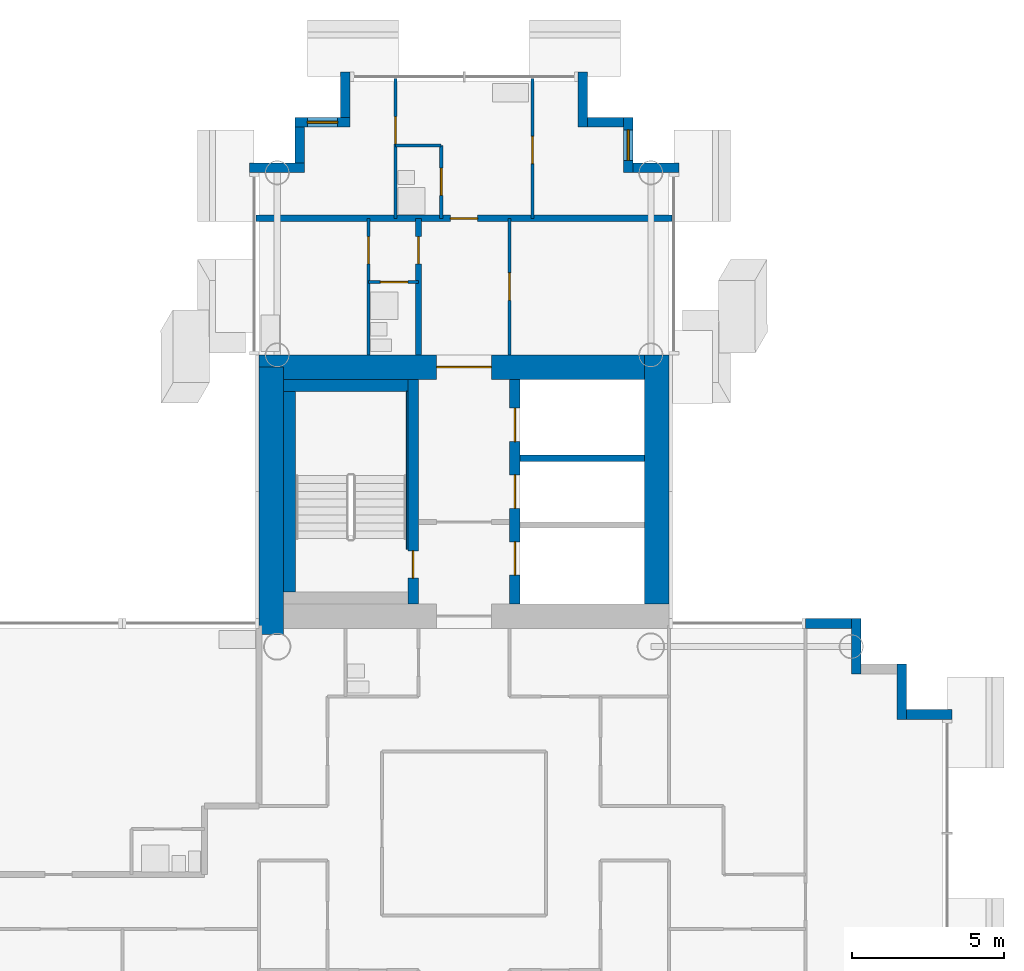
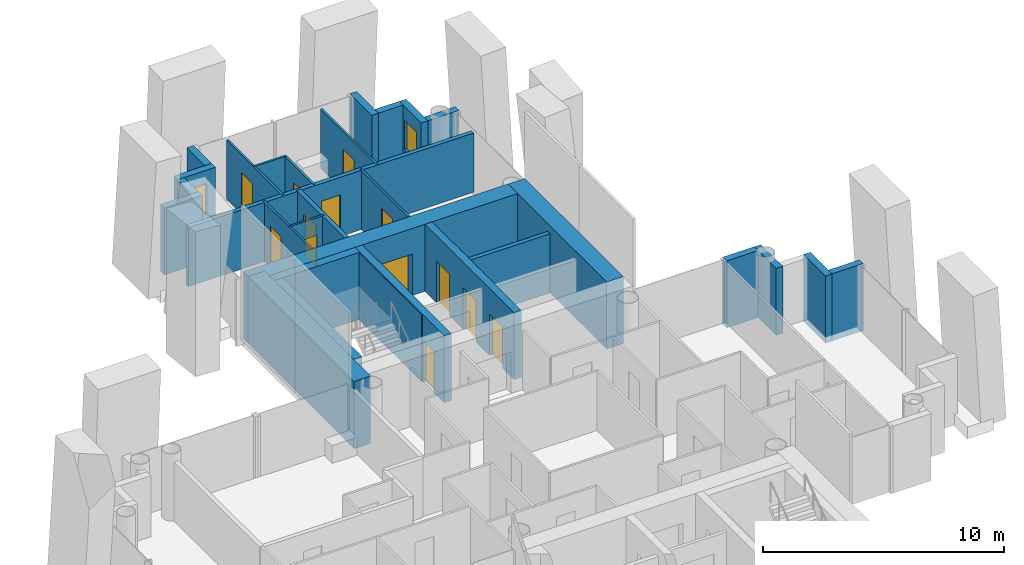
# One storey, part 11 of 18: 30 walls, 13 doors, 2 windows, 15 openings.
"""IFC4 building model written with IfcOpenShell, lengths in metres."""

from ifc_helpers import new_model, si_unit, direction, frame, frame_2d, origin, place, context, subcontext, project, spatial, rectangle, extrude, material, layer, layer_set, type_object, element, fill, save


model = new_model("IFC4")

# Units and contexts
model_context = context("Model", 3, precision=1e-05, world=origin(), true_north=direction((0.0, 1.0)))
body_context = subcontext(model_context, "Body", "Model", "MODEL_VIEW")
ifc_project = project(units=[si_unit("LENGTHUNIT", "METRE"), si_unit("AREAUNIT", "SQUARE_METRE"), si_unit("VOLUMEUNIT", "CUBIC_METRE"), si_unit("PLANEANGLEUNIT", "RADIAN"), si_unit("MASSUNIT", "GRAM", prefix="KILO")], contexts=[model_context])

# Site, building, storey
site_placement = place(None, origin())
site = spatial("IfcSite", under=ifc_project, at=site_placement, CompositionType="ELEMENT")
building_placement = place(site_placement, origin())
building = spatial("IfcBuilding", under=site, at=building_placement, Name="Ipe Terrace Towers", CompositionType="ELEMENT")
storey_placement = place(building_placement, frame((0.0, 0.0, 143.89990234375)))
storey = spatial("IfcBuildingStorey", under=building, at=storey_placement, Name="L39", CompositionType="ELEMENT", Elevation=143.89990234375)

# Walls
ifc_material_1 = material(Name="Concrete C40/50 with buff precast cladding", Category="concrete")
ifc_layer_1 = layer(ifc_material_1, 0.320068359375)
ifc_layer_set_1 = layer_set([ifc_layer_1], Name="BUFF CLADDING WALL 320")
wall_type_1 = type_object("IfcWallType", Name="BUFF CLADDING WALL 320", PredefinedType="STANDARD", material=ifc_layer_set_1)
wall_1_placement = place(storey_placement, frame((52.070068359375, 3.909912109375, -0.2998046875), z_axis=(0.0, 0.0, 1.0), x_axis=(-1.0, 0.0, 0.0)))
element("IfcWall", 1, at=wall_1_placement, inside=storey, type_object=wall_type_1, Name="T2-W-L39-09a wall", PredefinedType="STANDARD", context=body_context, shape_type="SweptSolid", body=[
    extrude(rectangle(XDim=1.5, YDim=0.320068359375, at=frame_2d((0.75, 0.0))), origin(), (0.0, 0.0, 1.0), 3.39990234375),
])
for number, where, z_axis, x_axis, name in (
    (2, (50.409912109375, 3.75, -0.2998046875), (0.0, 0.0, 1.0), (0.0, 1.0, 0.0), "T2-W-L39-10a wall"),
    (3, (48.909912109375, 5.25, -0.2998046875), (0.0, 0.0, 1.0), (0.0, 1.0, 0.0), "T2-W-L39-12a wall"),
):
    element("IfcWall", number, at=place(storey_placement, frame(where, z_axis=z_axis, x_axis=x_axis)), inside=storey, type_object=wall_type_1, Name=name, PredefinedType="STANDARD", context=body_context, shape_type="SweptSolid", body=[
        extrude(rectangle(XDim=1.820068359375, YDim=0.320068359375, at=frame_2d((0.91015625, 0.0))), origin(), (0.0, 0.0, 1.0), 3.39990234375),
    ])
for number, where, z_axis, x_axis, name in (
    (4, (48.75, 6.909912109375, -0.2998046875), (0.0, 0.0, 1.0), (-1.0, 0.0, 0.0), "T2-W-L39-13a wall"),
    (5, (43.070068359375, 21.909912109375, -0.2998046875), (0.0, 0.0, 1.0), (-1.0, 0.0, 0.0), "T2-W-L39-17a wall"),
):
    element("IfcWall", number, at=place(storey_placement, frame(where, z_axis=z_axis, x_axis=x_axis)), inside=storey, type_object=wall_type_1, Name=name, PredefinedType="STANDARD", context=body_context, shape_type="SweptSolid", body=[
        extrude(rectangle(XDim=1.5, YDim=0.320068359375, at=frame_2d((0.75, 0.0))), origin(), (0.0, 0.0, 1.0), 3.39990234375),
    ])

# Wall, opening, window
wall_2_placement = place(storey_placement, frame((41.409912109375, 21.75, -0.2998046875), z_axis=(0.0, 0.0, 1.0), x_axis=(0.0, 1.0, 0.0)))
wall_2 = element("IfcWall", 6, at=wall_2_placement, inside=storey, type_object=wall_type_1, Name="T2-W-L39-18a wall", PredefinedType="STANDARD", context=body_context, shape_type="SweptSolid", body=[
    extrude(rectangle(XDim=1.820068359375, YDim=0.320068359375, at=frame_2d((0.91015625, 0.0))), origin(), (0.0, 0.0, 1.0), 3.39990234375),
])
opening_1_placement = place(wall_2_placement, frame((0.409912109375, 0.0, 1.199951171875)))
opening_1 = element("IfcOpeningElement", 7, at=opening_1_placement, cuts=wall_2, Name="Opening T2-W-05-L39-02", PredefinedType="OPENING", context=body_context, shape_type="SweptSolid", body=[
    extrude(rectangle(XDim=1.0, YDim=1.5, at=frame_2d((0.5, 0.75))), frame((0.0, 0.169921875, 0.0), z_axis=(0.0, -1.0, 0.0), x_axis=(1.0, 0.0, 0.0)), (0.0, 0.0, 1.0), 0.340087890625),
])
ifc_material_2 = material(Name="Glass, clear laminated", Category="glass")
window_type = type_object("IfcWindowType", Name="DWELLING WINDOW 1000 x 1500", PartitioningType="SINGLE_PANEL", PredefinedType="WINDOW", material=ifc_material_2)
window_1_placement = place(opening_1_placement, origin())
window_1 = element("IfcWindow", 8, at=window_1_placement, inside=storey, type_object=window_type, Name="W-05 window", OverallHeight=1.5, OverallWidth=1.0, PartitioningType="SINGLE_PANEL", PredefinedType="WINDOW", context=body_context, shape_type="SweptSolid", body=[
    extrude(rectangle(XDim=1.0, YDim=1.5, at=frame_2d((0.5, 0.75))), frame((0.0, 0.030029296875, 0.0), z_axis=(0.0, -1.0, 0.0), x_axis=(1.0, 0.0, 0.0)), (0.0, 0.0, 1.0), 0.06005859375),
])
fill(opening_1, window_1)

# Walls
wall_3_placement = place(storey_placement, frame((41.25, 23.409912109375, -0.2998046875), z_axis=(0.0, 0.0, 1.0), x_axis=(-1.0, 0.0, 0.0)))
element("IfcWall", 9, at=wall_3_placement, inside=storey, type_object=wall_type_1, Name="T2-W-L39-19a wall", PredefinedType="STANDARD", context=body_context, shape_type="SweptSolid", body=[
    extrude(rectangle(XDim=1.179931640625, YDim=0.320068359375, at=frame_2d((0.58984375, 0.0))), origin(), (0.0, 0.0, 1.0), 3.39990234375),
])
wall_4_placement = place(storey_placement, frame((39.909912109375, 23.25, -0.2998046875), z_axis=(0.0, 0.0, 1.0), x_axis=(0.0, 1.0, 0.0)))
element("IfcWall", 10, at=wall_4_placement, inside=storey, type_object=wall_type_1, Name="T2-W-L39-20a wall", PredefinedType="STANDARD", context=body_context, shape_type="SweptSolid", body=[
    extrude(rectangle(XDim=1.820068359375, YDim=0.320068359375, at=frame_2d((0.91015625, 0.0))), origin(), (0.0, 0.0, 1.0), 3.39990234375),
])
wall_5_placement = place(storey_placement, frame((32.090087890625, 25.070068359375, -0.2998046875), z_axis=(0.0, 0.0, 1.0), x_axis=(0.0, -1.0, 0.0)))
element("IfcWall", 11, at=wall_5_placement, inside=storey, type_object=wall_type_1, Name="T2-W-L39-22a wall", PredefinedType="STANDARD", context=body_context, shape_type="SweptSolid", body=[
    extrude(rectangle(XDim=1.5, YDim=0.320068359375, at=frame_2d((0.75, 0.0))), origin(), (0.0, 0.0, 1.0), 3.39990234375),
])

# Wall, opening, window
wall_6_placement = place(storey_placement, frame((32.25, 23.409912109375, -0.2998046875), z_axis=(0.0, 0.0, 1.0), x_axis=(-1.0, 0.0, 0.0)))
wall_6 = element("IfcWall", 12, at=wall_6_placement, inside=storey, type_object=wall_type_1, Name="T2-W-L39-23a wall", PredefinedType="STANDARD", context=body_context, shape_type="SweptSolid", body=[
    extrude(rectangle(XDim=1.820068359375, YDim=0.320068359375, at=frame_2d((0.91015625, 0.0))), origin(), (0.0, 0.0, 1.0), 3.39990234375),
])
opening_2_placement = place(wall_6_placement, frame((0.409912109375, 0.0, 1.199951171875)))
opening_2 = element("IfcOpeningElement", 13, at=opening_2_placement, cuts=wall_6, Name="Opening T2-W-05-L39-01", PredefinedType="OPENING", context=body_context, shape_type="SweptSolid", body=[
    extrude(rectangle(XDim=1.0, YDim=1.5, at=frame_2d((0.5, 0.75))), frame((0.0, 0.169921875, 0.0), z_axis=(0.0, -1.0, 0.0), x_axis=(1.0, 0.0, 0.0)), (0.0, 0.0, 1.0), 0.340087890625),
])
window_2_placement = place(opening_2_placement, origin())
window_2 = element("IfcWindow", 14, at=window_2_placement, inside=storey, type_object=window_type, Name="W-05 window", OverallHeight=1.5, OverallWidth=1.0, PartitioningType="SINGLE_PANEL", PredefinedType="WINDOW", context=body_context, shape_type="SweptSolid", body=[
    extrude(rectangle(XDim=1.0, YDim=1.5, at=frame_2d((0.5, 0.75))), frame((0.0, 0.030029296875, 0.0), z_axis=(0.0, -1.0, 0.0), x_axis=(1.0, 0.0, 0.0)), (0.0, 0.0, 1.0), 0.06005859375),
])
fill(opening_2, window_2)

# Walls
wall_7_placement = place(storey_placement, frame((30.590087890625, 23.25, -0.2998046875), z_axis=(0.0, 0.0, 1.0), x_axis=(0.0, -1.0, 0.0)))
element("IfcWall", 15, at=wall_7_placement, inside=storey, type_object=wall_type_1, Name="T2-W-L39-24a wall", PredefinedType="STANDARD", context=body_context, shape_type="SweptSolid", body=[
    extrude(rectangle(XDim=1.179931640625, YDim=0.320068359375, at=frame_2d((0.58984375, 0.0))), origin(), (0.0, 0.0, 1.0), 3.39990234375),
])
wall_8_placement = place(storey_placement, frame((30.75, 21.909912109375, -0.2998046875), z_axis=(0.0, 0.0, 1.0), x_axis=(-1.0, 0.0, 0.0)))
element("IfcWall", 16, at=wall_8_placement, inside=storey, type_object=wall_type_1, Name="T2-W-L39-25a wall", PredefinedType="STANDARD", context=body_context, shape_type="SweptSolid", body=[
    extrude(rectangle(XDim=1.820068359375, YDim=0.320068359375, at=frame_2d((0.91015625, 0.0))), origin(), (0.0, 0.0, 1.0), 3.39990234375),
])

# Wall, opening, door
ifc_material_3 = material(Name="Gypsum board partition", Category="plasterboard")
ifc_layer_2 = layer(ifc_material_3, 0.10009765625)
ifc_layer_set_2 = layer_set([ifc_layer_2], Name="Gypsum board partition 100 mm")
wall_type_2 = type_object("IfcWallType", Name="Gypsum board partition 100 mm", PredefinedType="PARTITIONING", material=ifc_layer_set_2)
wall_9_placement = place(storey_placement, frame((34.5, 18.14990234375, 0.0), z_axis=(0.0, 0.0, 1.0), x_axis=(-1.0, 0.0, 0.0)))
wall_9 = element("IfcWall", 17, at=wall_9_placement, inside=storey, type_object=wall_type_2, Name="Gypsum board partition T2 L39 W17", PredefinedType="PARTITIONING", context=body_context, shape_type="SweptSolid", body=[
    extrude(rectangle(XDim=1.64990234375, YDim=0.10009765625, at=frame_2d((0.824951171875, 0.0))), origin(), (0.0, 0.0, 1.0), 3.0),
])
opening_3_placement = place(wall_9_placement, frame((0.35009765625, 0.0, 0.0)))
opening_3 = element("IfcOpeningElement", 18, at=opening_3_placement, cuts=wall_9, Name="Opening T2-Z3B-20", PredefinedType="OPENING", context=body_context, shape_type="SweptSolid", body=[
    extrude(rectangle(XDim=0.89990234375, YDim=2.10009765625, at=frame_2d((0.449951171875, 1.050048828125))), frame((0.0, 0.06005859375, 0.0), z_axis=(0.0, -1.0, 0.0), x_axis=(1.0, 0.0, 0.0)), (0.0, 0.0, 1.0), 0.1201171875),
])
ifc_material_4 = material(Name="Timber door leaf", Category="wood")
door_type_1 = type_object("IfcDoorType", Name="Bathroom door 900 x 2100", OperationType="NOTDEFINED", PredefinedType="DOOR", material=ifc_material_4)
door_1_placement = place(opening_3_placement, origin())
door_1 = element("IfcDoor", 19, at=door_1_placement, inside=storey, type_object=door_type_1, Name="Bathroom door T2-Z3B-20", OperationType="SINGLE_SWING_RIGHT", OverallHeight=2.10009765625, OverallWidth=0.89990234375, PredefinedType="DOOR", context=body_context, shape_type="SweptSolid", body=[
    extrude(rectangle(XDim=0.89990234375, YDim=2.10009765625, at=frame_2d((0.449951171875, 1.050048828125))), frame((0.0, 0.02490234375, 0.0), z_axis=(0.0, -1.0, 0.0), x_axis=(1.0, 0.0, 0.0)), (0.0, 0.0, 1.0), 0.050048828125),
])
fill(opening_3, door_1)

# Wall
wall_10_placement = place(storey_placement, frame((35.25, 22.64990234375, 0.0), z_axis=(0.0, 0.0, 1.0), x_axis=(-1.0, 0.0, 0.0)))
element("IfcWall", 20, at=wall_10_placement, inside=storey, type_object=wall_type_2, Name="Gypsum board partition T2 L39 W19", PredefinedType="PARTITIONING", context=body_context, shape_type="SweptSolid", body=[
    extrude(rectangle(XDim=1.5, YDim=0.10009765625, at=frame_2d((0.75, 0.0))), origin(), (0.0, 0.0, 1.0), 3.0),
])

# Wall, opening, door
wall_11_placement = place(storey_placement, frame((38.25, 20.25, 0.0), z_axis=(0.0, 0.0, 1.0), x_axis=(0.0, 1.0, 0.0)))
wall_11 = element("IfcWall", 21, at=wall_11_placement, inside=storey, type_object=wall_type_2, Name="Gypsum board partition T2 L39 W27", PredefinedType="PARTITIONING", context=body_context, shape_type="SweptSolid", body=[
    extrude(rectangle(XDim=4.60009765625, YDim=0.10009765625, at=frame_2d((2.300048828125, 0.0))), origin(), (0.0, 0.0, 1.0), 3.0),
])
opening_4_placement = place(wall_11_placement, frame((1.800048828125, 0.0, 0.0)))
opening_4 = element("IfcOpeningElement", 22, at=opening_4_placement, cuts=wall_11, Name="Opening T2-Z3B-25", PredefinedType="OPENING", context=body_context, shape_type="SweptSolid", body=[
    extrude(rectangle(XDim=0.89990234375, YDim=2.10009765625, at=frame_2d((0.449951171875, 1.050048828125))), frame((0.0, 0.06005859375, 0.0), z_axis=(0.0, -1.0, 0.0), x_axis=(1.0, 0.0, 0.0)), (0.0, 0.0, 1.0), 0.1201171875),
])
ifc_material_5 = material(Name="Timber door leaf", Category="wood")
door_type_2 = type_object("IfcDoorType", Name="Bedroom door 900 x 2100", OperationType="NOTDEFINED", PredefinedType="DOOR", material=ifc_material_5)
door_2_placement = place(opening_4_placement, origin())
door_2 = element("IfcDoor", 23, at=door_2_placement, inside=storey, type_object=door_type_2, Name="Bedroom door T2-Z3B-25", OperationType="SINGLE_SWING_LEFT", OverallHeight=2.10009765625, OverallWidth=0.89990234375, PredefinedType="DOOR", context=body_context, shape_type="SweptSolid", body=[
    extrude(rectangle(XDim=0.89990234375, YDim=2.10009765625, at=frame_2d((0.449951171875, 1.050048828125))), frame((0.0, 0.02490234375, 0.0), z_axis=(0.0, -1.0, 0.0), x_axis=(1.0, 0.0, 0.0)), (0.0, 0.0, 1.0), 0.050048828125),
])
fill(opening_4, door_2)

wall_12_placement = place(storey_placement, frame((37.5, 15.75, 0.0), z_axis=(0.0, 0.0, 1.0), x_axis=(0.0, 1.0, 0.0)))
wall_12 = element("IfcWall", 24, at=wall_12_placement, inside=storey, type_object=wall_type_2, Name="Gypsum board partition T2 L39 W30", PredefinedType="PARTITIONING", context=body_context, shape_type="SweptSolid", body=[
    extrude(rectangle(XDim=4.5, YDim=0.10009765625, at=frame_2d((2.25, 0.0))), origin(), (0.0, 0.0, 1.0), 3.0),
])
opening_5_placement = place(wall_12_placement, frame((1.800048828125, 0.0, 0.0)))
opening_5 = element("IfcOpeningElement", 25, at=opening_5_placement, cuts=wall_12, Name="Opening T2-Z3B-21", PredefinedType="OPENING", context=body_context, shape_type="SweptSolid", body=[
    extrude(rectangle(XDim=0.89990234375, YDim=2.10009765625, at=frame_2d((0.449951171875, 1.050048828125))), frame((0.0, 0.06005859375, 0.0), z_axis=(0.0, -1.0, 0.0), x_axis=(1.0, 0.0, 0.0)), (0.0, 0.0, 1.0), 0.1201171875),
])
ifc_material_6 = material(Name="Timber door leaf", Category="wood")
door_type_3 = type_object("IfcDoorType", Name="Lounge door 900 x 2100", OperationType="NOTDEFINED", PredefinedType="DOOR", material=ifc_material_6)
door_3_placement = place(opening_5_placement, origin())
door_3 = element("IfcDoor", 26, at=door_3_placement, inside=storey, type_object=door_type_3, Name="Lounge door T2-Z3B-21", OperationType="SINGLE_SWING_RIGHT", OverallHeight=2.10009765625, OverallWidth=0.89990234375, PredefinedType="DOOR", context=body_context, shape_type="SweptSolid", body=[
    extrude(rectangle(XDim=0.89990234375, YDim=2.10009765625, at=frame_2d((0.449951171875, 1.050048828125))), frame((0.0, 0.02490234375, 0.0), z_axis=(0.0, -1.0, 0.0), x_axis=(1.0, 0.0, 0.0)), (0.0, 0.0, 1.0), 0.050048828125),
])
fill(opening_5, door_3)

wall_13_placement = place(storey_placement, frame((35.25, 20.25, 0.0), z_axis=(0.0, 0.0, 1.0), x_axis=(0.0, 1.0, 0.0)))
wall_13 = element("IfcWall", 27, at=wall_13_placement, inside=storey, type_object=wall_type_2, Name="Gypsum board partition T2 L39 W31", PredefinedType="PARTITIONING", context=body_context, shape_type="SweptSolid", body=[
    extrude(rectangle(XDim=2.39990234375, YDim=0.10009765625, at=frame_2d((1.199951171875, 0.0))), origin(), (0.0, 0.0, 1.0), 3.0),
])
opening_6_placement = place(wall_13_placement, frame((0.75, 0.0, 0.0)))
opening_6 = element("IfcOpeningElement", 28, at=opening_6_placement, cuts=wall_13, Name="Opening T2-Z3B-22", PredefinedType="OPENING", context=body_context, shape_type="SweptSolid", body=[
    extrude(rectangle(XDim=0.89990234375, YDim=2.10009765625, at=frame_2d((0.449951171875, 1.050048828125))), frame((0.0, 0.06005859375, 0.0), z_axis=(0.0, -1.0, 0.0), x_axis=(1.0, 0.0, 0.0)), (0.0, 0.0, 1.0), 0.1201171875),
])
door_4_placement = place(opening_6_placement, origin())
door_4 = element("IfcDoor", 29, at=door_4_placement, inside=storey, type_object=door_type_1, Name="Bathroom door T2-Z3B-22", OperationType="SINGLE_SWING_LEFT", OverallHeight=2.10009765625, OverallWidth=0.89990234375, PredefinedType="DOOR", context=body_context, shape_type="SweptSolid", body=[
    extrude(rectangle(XDim=0.89990234375, YDim=2.10009765625, at=frame_2d((0.449951171875, 1.050048828125))), frame((0.0, 0.02490234375, 0.0), z_axis=(0.0, -1.0, 0.0), x_axis=(1.0, 0.0, 0.0)), (0.0, 0.0, 1.0), 0.050048828125),
])
fill(opening_6, door_4)

wall_14_placement = place(storey_placement, frame((33.75, 20.25, 0.0), z_axis=(0.0, 0.0, 1.0), x_axis=(0.0, 1.0, 0.0)))
wall_14 = element("IfcWall", 30, at=wall_14_placement, inside=storey, type_object=wall_type_2, Name="Gypsum board partition T2 L39 W35", PredefinedType="PARTITIONING", context=body_context, shape_type="SweptSolid", body=[
    extrude(rectangle(XDim=4.60009765625, YDim=0.10009765625, at=frame_2d((2.300048828125, 0.0))), origin(), (0.0, 0.0, 1.0), 3.0),
])
opening_7_placement = place(wall_14_placement, frame((2.449951171875, 0.0, 0.0)))
opening_7 = element("IfcOpeningElement", 31, at=opening_7_placement, cuts=wall_14, Name="Opening T2-Z3B-24", PredefinedType="OPENING", context=body_context, shape_type="SweptSolid", body=[
    extrude(rectangle(XDim=0.89990234375, YDim=2.10009765625, at=frame_2d((0.449951171875, 1.050048828125))), frame((0.0, 0.06005859375, 0.0), z_axis=(0.0, -1.0, 0.0), x_axis=(1.0, 0.0, 0.0)), (0.0, 0.0, 1.0), 0.1201171875),
])
door_5_placement = place(opening_7_placement, origin())
door_5 = element("IfcDoor", 32, at=door_5_placement, inside=storey, type_object=door_type_2, Name="Bedroom door T2-Z3B-24", OperationType="SINGLE_SWING_LEFT", OverallHeight=2.10009765625, OverallWidth=0.89990234375, PredefinedType="DOOR", context=body_context, shape_type="SweptSolid", body=[
    extrude(rectangle(XDim=0.89990234375, YDim=2.10009765625, at=frame_2d((0.449951171875, 1.050048828125))), frame((0.0, 0.02490234375, 0.0), z_axis=(0.0, -1.0, 0.0), x_axis=(1.0, 0.0, 0.0)), (0.0, 0.0, 1.0), 0.050048828125),
])
fill(opening_7, door_5)

wall_15_placement = place(storey_placement, frame((32.85009765625, 15.75, 0.0), z_axis=(0.0, 0.0, 1.0), x_axis=(0.0, 1.0, 0.0)))
wall_15 = element("IfcWall", 33, at=wall_15_placement, inside=storey, type_object=wall_type_2, Name="Gypsum board partition T2 L39 W37", PredefinedType="PARTITIONING", context=body_context, shape_type="SweptSolid", body=[
    extrude(rectangle(XDim=4.5, YDim=0.10009765625, at=frame_2d((2.25, 0.0))), origin(), (0.0, 0.0, 1.0), 3.0),
])
opening_8_placement = place(wall_15_placement, frame((3.0, 0.0, 0.0)))
opening_8 = element("IfcOpeningElement", 34, at=opening_8_placement, cuts=wall_15, Name="Opening T2-Z3B-19", PredefinedType="OPENING", context=body_context, shape_type="SweptSolid", body=[
    extrude(rectangle(XDim=0.89990234375, YDim=2.10009765625, at=frame_2d((0.449951171875, 1.050048828125))), frame((0.0, 0.06005859375, 0.0), z_axis=(0.0, -1.0, 0.0), x_axis=(1.0, 0.0, 0.0)), (0.0, 0.0, 1.0), 0.1201171875),
])
door_6_placement = place(opening_8_placement, origin())
door_6 = element("IfcDoor", 35, at=door_6_placement, inside=storey, type_object=door_type_2, Name="Bedroom door T2-Z3B-19", OperationType="SINGLE_SWING_LEFT", OverallHeight=2.10009765625, OverallWidth=0.89990234375, PredefinedType="DOOR", context=body_context, shape_type="SweptSolid", body=[
    extrude(rectangle(XDim=0.89990234375, YDim=2.10009765625, at=frame_2d((0.449951171875, 1.050048828125))), frame((0.0, 0.02490234375, 0.0), z_axis=(0.0, -1.0, 0.0), x_axis=(1.0, 0.0, 0.0)), (0.0, 0.0, 1.0), 0.050048828125),
])
fill(opening_8, door_6)

# Wall
ifc_material_7 = material(Name="Gypsum board party wall", Category="plasterboard")
ifc_layer_3 = layer(ifc_material_7, 0.199951171875)
ifc_layer_set_3 = layer_set([ifc_layer_3], Name="Gypsum board party wall 200 mm")
wall_type_3 = type_object("IfcWallType", Name="Gypsum board party wall 200 mm", PredefinedType="SOLIDWALL", material=ifc_layer_set_3)
wall_16_placement = place(storey_placement, frame((41.949951171875, 12.35009765625, 0.0), z_axis=(0.0, 0.0, 1.0), x_axis=(-1.0, 0.0, 0.0)))
element("IfcWall", 36, at=wall_16_placement, inside=storey, type_object=wall_type_3, Name="Gypsum board party wall T2 L39 t2c1-shaft-div2", PredefinedType="SOLIDWALL", context=body_context, shape_type="SweptSolid", body=[
    extrude(rectangle(XDim=4.099853515625, YDim=0.199951171875, at=frame_2d((2.0498046875, 0.0))), origin(), (0.0, 0.0, 1.0), 3.0),
])

# Wall, opening, door
wall_17_placement = place(storey_placement, frame((42.85009765625, 20.25, 0.0), z_axis=(0.0, 0.0, 1.0), x_axis=(-1.0, 0.0, 0.0)))
wall_17 = element("IfcWall", 37, at=wall_17_placement, inside=storey, type_object=wall_type_3, Name="Gypsum board party wall T2 L39 W18", PredefinedType="SOLIDWALL", context=body_context, shape_type="SweptSolid", body=[
    extrude(rectangle(XDim=13.7001953125, YDim=0.199951171875, at=frame_2d((6.85009765625, 0.0))), origin(), (0.0, 0.0, 1.0), 3.0),
])
opening_9_placement = place(wall_17_placement, frame((6.39990234375, 0.0, 0.0)))
opening_9 = element("IfcOpeningElement", 38, at=opening_9_placement, cuts=wall_17, Name="Opening T2-Z3B-23", PredefinedType="OPENING", context=body_context, shape_type="SweptSolid", body=[
    extrude(rectangle(XDim=0.89990234375, YDim=2.10009765625, at=frame_2d((0.449951171875, 1.050048828125))), frame((0.0, 0.10986328125, 0.0), z_axis=(0.0, -1.0, 0.0), x_axis=(1.0, 0.0, 0.0)), (0.0, 0.0, 1.0), 0.219970703125),
])
ifc_material_8 = material(Name="Fire-rated timber door leaf", Category="wood")
door_type_4 = type_object("IfcDoorType", Name="Flat entrance door 900 x 2100 FD30S", OperationType="NOTDEFINED", PredefinedType="DOOR", material=ifc_material_8)
door_7_placement = place(opening_9_placement, origin())
door_7 = element("IfcDoor", 39, at=door_7_placement, inside=storey, type_object=door_type_4, Name="Flat entrance door T2-Z3B-23", OperationType="SINGLE_SWING_RIGHT", OverallHeight=2.10009765625, OverallWidth=0.89990234375, PredefinedType="DOOR", context=body_context, shape_type="SweptSolid", body=[
    extrude(rectangle(XDim=0.89990234375, YDim=2.10009765625, at=frame_2d((0.449951171875, 1.050048828125))), frame((0.0, 0.02490234375, 0.0), z_axis=(0.0, -1.0, 0.0), x_axis=(1.0, 0.0, 0.0)), (0.0, 0.0, 1.0), 0.050048828125),
])
fill(opening_9, door_7)

wall_18_placement = place(storey_placement, frame((34.5, 15.75, 0.0), z_axis=(0.0, 0.0, 1.0), x_axis=(0.0, 1.0, 0.0)))
wall_18 = element("IfcWall", 40, at=wall_18_placement, inside=storey, type_object=wall_type_3, Name="Gypsum board party wall T2 L39 W34", PredefinedType="SOLIDWALL", context=body_context, shape_type="SweptSolid", body=[
    extrude(rectangle(XDim=4.5, YDim=0.199951171875, at=frame_2d((2.25, 0.0))), origin(), (0.0, 0.0, 1.0), 3.0),
])
opening_10_placement = place(wall_18_placement, frame((3.0, 0.0, 0.0)))
opening_10 = element("IfcOpeningElement", 41, at=opening_10_placement, cuts=wall_18, Name="Opening T2-Z3B-18", PredefinedType="OPENING", context=body_context, shape_type="SweptSolid", body=[
    extrude(rectangle(XDim=0.89990234375, YDim=2.10009765625, at=frame_2d((0.449951171875, 1.050048828125))), frame((0.0, 0.10986328125, 0.0), z_axis=(0.0, -1.0, 0.0), x_axis=(1.0, 0.0, 0.0)), (0.0, 0.0, 1.0), 0.219970703125),
])
door_8_placement = place(opening_10_placement, origin())
door_8 = element("IfcDoor", 42, at=door_8_placement, inside=storey, type_object=door_type_4, Name="Flat entrance door T2-Z3B-18", OperationType="SINGLE_SWING_LEFT", OverallHeight=2.10009765625, OverallWidth=0.89990234375, PredefinedType="DOOR", context=body_context, shape_type="SweptSolid", body=[
    extrude(rectangle(XDim=0.89990234375, YDim=2.10009765625, at=frame_2d((0.449951171875, 1.050048828125))), frame((0.0, 0.02490234375, 0.0), z_axis=(0.0, -1.0, 0.0), x_axis=(1.0, 0.0, 0.0)), (0.0, 0.0, 1.0), 0.050048828125),
])
fill(opening_10, door_8)

ifc_material_9 = material(Name="Concrete C50/60", Category="concrete")
ifc_layer_4 = layer(ifc_material_9, 0.35009765625)
ifc_layer_set_4 = layer_set([ifc_layer_4], Name="RW350 CORE SPINE WALL 350 C50-60")
wall_type_4 = type_object("IfcWallType", Name="RW350 CORE SPINE WALL 350 C50-60", PredefinedType="SHEAR", material=ifc_layer_set_4)
wall_19_placement = place(storey_placement, frame((34.324951171875, 7.550048828125, 0.0), z_axis=(0.0, 0.0, 1.0), x_axis=(0.0, 1.0, 0.0)))
wall_19 = element("IfcWall", 43, at=wall_19_placement, inside=storey, type_object=wall_type_4, Name="Core spine wall T2-C1-Z3-SW1", PredefinedType="SHEAR", context=body_context, shape_type="SweptSolid", body=[
    extrude(rectangle(XDim=7.39990234375, YDim=0.35009765625, at=frame_2d((3.699951171875, 0.0))), origin(), (0.0, 0.0, 1.0), 3.400146484375),
])
opening_11_placement = place(wall_19_placement, frame((0.85009765625, 0.0, 0.0)))
opening_11 = element("IfcOpeningElement", 44, at=opening_11_placement, cuts=wall_19, Name="Opening T2C1-SD", PredefinedType="OPENING", context=body_context, shape_type="SweptSolid", body=[
    extrude(rectangle(XDim=0.89990234375, YDim=2.10009765625, at=frame_2d((0.449951171875, 1.050048828125))), frame((0.0, 0.18505859375, 0.0), z_axis=(0.0, -1.0, 0.0), x_axis=(1.0, 0.0, 0.0)), (0.0, 0.0, 1.0), 0.3701171875),
])
ifc_material_10 = material(Name="Fire-rated timber door leaf", Category="wood")
door_type_5 = type_object("IfcDoorType", Name="Stair door 900 x 2100 FD60", OperationType="NOTDEFINED", PredefinedType="DOOR", material=ifc_material_10)
door_9_placement = place(opening_11_placement, origin())
door_9 = element("IfcDoor", 45, at=door_9_placement, inside=storey, type_object=door_type_5, Name="Stair door T2C1-SD", OperationType="SINGLE_SWING_LEFT", OverallHeight=2.10009765625, OverallWidth=0.89990234375, PredefinedType="DOOR", context=body_context, shape_type="SweptSolid", body=[
    extrude(rectangle(XDim=0.89990234375, YDim=2.10009765625, at=frame_2d((0.449951171875, 1.050048828125))), frame((0.0, 0.02490234375, 0.0), z_axis=(0.0, -1.0, 0.0), x_axis=(1.0, 0.0, 0.0)), (0.0, 0.0, 1.0), 0.050048828125),
])
fill(opening_11, door_9)

# Wall, openings, doors
wall_20_placement = place(storey_placement, frame((37.675048828125, 7.550048828125, 0.0), z_axis=(0.0, 0.0, 1.0), x_axis=(0.0, 1.0, 0.0)))
wall_20 = element("IfcWall", 46, at=wall_20_placement, inside=storey, type_object=wall_type_4, Name="Core spine wall T2-C1-Z3-SW2", PredefinedType="SHEAR", context=body_context, shape_type="SweptSolid", body=[
    extrude(rectangle(XDim=7.39990234375, YDim=0.35009765625, at=frame_2d((3.699951171875, 0.0))), origin(), (0.0, 0.0, 1.0), 3.400146484375),
])
opening_12_placement = place(wall_20_placement, frame((0.949951171875, 0.0, 0.0)))
opening_12 = element("IfcOpeningElement", 47, at=opening_12_placement, cuts=wall_20, Name="Opening T2C1-LD1", PredefinedType="OPENING", context=body_context, shape_type="SweptSolid", body=[
    extrude(rectangle(XDim=1.10009765625, YDim=2.10009765625, at=frame_2d((0.550048828125, 1.050048828125))), frame((0.0, 0.18505859375, 0.0), z_axis=(0.0, -1.0, 0.0), x_axis=(1.0, 0.0, 0.0)), (0.0, 0.0, 1.0), 0.3701171875),
])
opening_13_placement = place(wall_20_placement, frame((3.14990234375, 0.0, 0.0)))
opening_13 = element("IfcOpeningElement", 48, at=opening_13_placement, cuts=wall_20, Name="Opening T2C1-LD2", PredefinedType="OPENING", context=body_context, shape_type="SweptSolid", body=[
    extrude(rectangle(XDim=1.10009765625, YDim=2.10009765625, at=frame_2d((0.550048828125, 1.050048828125))), frame((0.0, 0.18505859375, 0.0), z_axis=(0.0, -1.0, 0.0), x_axis=(1.0, 0.0, 0.0)), (0.0, 0.0, 1.0), 0.3701171875),
])
opening_14_placement = place(wall_20_placement, frame((5.35009765625, 0.0, 0.0)))
opening_14 = element("IfcOpeningElement", 49, at=opening_14_placement, cuts=wall_20, Name="Opening T2C1-LD3", PredefinedType="OPENING", context=body_context, shape_type="SweptSolid", body=[
    extrude(rectangle(XDim=1.10009765625, YDim=2.10009765625, at=frame_2d((0.550048828125, 1.050048828125))), frame((0.0, 0.18505859375, 0.0), z_axis=(0.0, -1.0, 0.0), x_axis=(1.0, 0.0, 0.0)), (0.0, 0.0, 1.0), 0.3701171875),
])
ifc_material_11 = material(Name="Fire-rated timber door leaf", Category="wood")
door_type_6 = type_object("IfcDoorType", Name="Sliding door 1100 x 2100 FD60", OperationType="SLIDING_TO_LEFT", PredefinedType="DOOR", material=ifc_material_11)
door_10_placement = place(opening_12_placement, origin())
door_10 = element("IfcDoor", 50, at=door_10_placement, inside=storey, type_object=door_type_6, Name="Sliding door T2C1-LD1", OperationType="SLIDING_TO_LEFT", OverallHeight=2.10009765625, OverallWidth=1.10009765625, PredefinedType="DOOR", context=body_context, shape_type="SweptSolid", body=[
    extrude(rectangle(XDim=1.10009765625, YDim=2.10009765625, at=frame_2d((0.550048828125, 1.050048828125))), frame((0.0, 0.02490234375, 0.0), z_axis=(0.0, -1.0, 0.0), x_axis=(1.0, 0.0, 0.0)), (0.0, 0.0, 1.0), 0.050048828125),
])
fill(opening_12, door_10)
door_11_placement = place(opening_13_placement, origin())
door_11 = element("IfcDoor", 51, at=door_11_placement, inside=storey, type_object=door_type_6, Name="Sliding door T2C1-LD2", OperationType="SLIDING_TO_LEFT", OverallHeight=2.10009765625, OverallWidth=1.10009765625, PredefinedType="DOOR", context=body_context, shape_type="SweptSolid", body=[
    extrude(rectangle(XDim=1.10009765625, YDim=2.10009765625, at=frame_2d((0.550048828125, 1.050048828125))), frame((0.0, 0.02490234375, 0.0), z_axis=(0.0, -1.0, 0.0), x_axis=(1.0, 0.0, 0.0)), (0.0, 0.0, 1.0), 0.050048828125),
])
fill(opening_13, door_11)
door_12_placement = place(opening_14_placement, origin())
door_12 = element("IfcDoor", 52, at=door_12_placement, inside=storey, type_object=door_type_6, Name="Sliding door T2C1-LD3", OperationType="SLIDING_TO_LEFT", OverallHeight=2.10009765625, OverallWidth=1.10009765625, PredefinedType="DOOR", context=body_context, shape_type="SweptSolid", body=[
    extrude(rectangle(XDim=1.10009765625, YDim=2.10009765625, at=frame_2d((0.550048828125, 1.050048828125))), frame((0.0, 0.02490234375, 0.0), z_axis=(0.0, -1.0, 0.0), x_axis=(1.0, 0.0, 0.0)), (0.0, 0.0, 1.0), 0.050048828125),
])
fill(opening_14, door_12)

# Walls
ifc_material_12 = material(Name="Concrete C50/60", Category="concrete")
ifc_layer_5 = layer(ifc_material_12, 0.39990234375)
ifc_layer_set_5 = layer_set([ifc_layer_5], Name="RW400 CORE INFILL WALL 400 C50-60")
wall_type_5 = type_object("IfcWallType", Name="RW400 CORE INFILL WALL 400 C50-60", PredefinedType="SHEAR", material=ifc_layer_set_5)
wall_21_placement = place(storey_placement, frame((34.14990234375, 14.75, 0.0), z_axis=(0.0, 0.0, 1.0), x_axis=(-1.0, 0.0, 0.0)))
element("IfcWall", 53, at=wall_21_placement, inside=storey, type_object=wall_type_5, Name="Core infill wall T2-C1-far", PredefinedType="SHEAR", context=body_context, shape_type="SweptSolid", body=[
    extrude(rectangle(XDim=4.099853515625, YDim=0.39990234375, at=frame_2d((2.0498046875, 0.0))), origin(), (0.0, 0.0, 1.0), 3.400146484375),
])
wall_22_placement = place(storey_placement, frame((30.25, 7.949951171875, 0.0), z_axis=(0.0, 0.0, 1.0), x_axis=(0.0, 1.0, 0.0)))
element("IfcWall", 54, at=wall_22_placement, inside=storey, type_object=wall_type_5, Name="Core infill wall T2-C1-back", PredefinedType="SHEAR", context=body_context, shape_type="SweptSolid", body=[
    extrude(rectangle(XDim=6.60009765625, YDim=0.39990234375, at=frame_2d((3.300048828125, 0.0))), origin(), (0.0, 0.0, 1.0), 3.400146484375),
])
ifc_material_13 = material(Name="Concrete C50/60", Category="concrete")
ifc_layer_6 = layer(ifc_material_13, 0.050048828125)
ifc_layer_set_6 = layer_set([ifc_layer_6], Name="RW50 CORE INFILL WALL 50 C50-60")
wall_type_6 = type_object("IfcWallType", Name="RW50 CORE INFILL WALL 50 C50-60", PredefinedType="SHEAR", material=ifc_layer_set_6)
wall_23_placement = place(storey_placement, frame((34.125, 9.35009765625, 0.0), z_axis=(0.0, 0.0, 1.0), x_axis=(0.0, 1.0, 0.0)))
element("IfcWall", 55, at=wall_23_placement, inside=storey, type_object=wall_type_6, Name="Core infill wall T2-C1-spine-b", PredefinedType="SHEAR", context=body_context, shape_type="SweptSolid", body=[
    extrude(rectangle(XDim=5.199951171875, YDim=0.050048828125, at=frame_2d((2.60009765625, 0.0))), origin(), (0.0, 0.0, 1.0), 3.400146484375),
])
ifc_material_14 = material(Name="Concrete C50/60", Category="concrete")
ifc_layer_7 = layer(ifc_material_14, 0.800048828125)
ifc_layer_set_7 = layer_set([ifc_layer_7], Name="RW800 CORE WALL 800 C50-60")
wall_type_7 = type_object("IfcWallType", Name="RW800 CORE WALL 800 C50-60", PredefinedType="SHEAR", material=ifc_layer_set_7)
wall_24_placement = place(storey_placement, frame((42.35009765625, 7.550048828125, 0.0), z_axis=(0.0, 0.0, 1.0), x_axis=(0.0, 1.0, 0.0)))
element("IfcWall", 56, at=wall_24_placement, inside=storey, type_object=wall_type_7, Name="Core wall T2-C1-Z3-W02", PredefinedType="SHEAR", context=body_context, shape_type="SweptSolid", body=[
    extrude(rectangle(XDim=8.199951171875, YDim=0.800048828125, at=frame_2d((4.10009765625, 0.0))), origin(), (0.0, 0.0, 1.0), 3.400146484375),
])

# Wall, opening, door
wall_25_placement = place(storey_placement, frame((41.949951171875, 15.35009765625, 0.0), z_axis=(0.0, 0.0, 1.0), x_axis=(-1.0, 0.0, 0.0)))
wall_25 = element("IfcWall", 57, at=wall_25_placement, inside=storey, type_object=wall_type_7, Name="Core wall T2-C1-Z3-W03", PredefinedType="SHEAR", context=body_context, shape_type="SweptSolid", body=[
    extrude(rectangle(XDim=12.699951171875, YDim=0.800048828125, at=frame_2d((6.35009765625, 0.0))), origin(), (0.0, 0.0, 1.0), 3.400146484375),
])
opening_15_placement = place(wall_25_placement, frame((5.050048828125, 0.0, 0.0)))
opening_15 = element("IfcOpeningElement", 58, at=opening_15_placement, cuts=wall_25, Name="Opening T2C1-FD", PredefinedType="OPENING", context=body_context, shape_type="SweptSolid", body=[
    extrude(rectangle(XDim=1.800048828125, YDim=2.10009765625, at=frame_2d((0.89990234375, 1.050048828125))), frame((0.0, 0.41015625, 0.0), z_axis=(0.0, -1.0, 0.0), x_axis=(1.0, 0.0, 0.0)), (0.0, 0.0, 1.0), 0.820068359375),
])
ifc_material_15 = material(Name="Fire-rated timber door leaf", Category="wood")
door_type_7 = type_object("IfcDoorType", Name="Fire door 1800 x 2100 FD30S", OperationType="NOTDEFINED", PredefinedType="DOOR", material=ifc_material_15)
door_13_placement = place(opening_15_placement, origin())
door_13 = element("IfcDoor", 59, at=door_13_placement, inside=storey, type_object=door_type_7, Name="Fire door T2C1-FD", OperationType="SINGLE_SWING_LEFT", OverallHeight=2.10009765625, OverallWidth=1.800048828125, PredefinedType="DOOR", context=body_context, shape_type="SweptSolid", body=[
    extrude(rectangle(XDim=1.800048828125, YDim=2.10009765625, at=frame_2d((0.89990234375, 1.050048828125))), frame((0.0, 0.02490234375, 0.0), z_axis=(0.0, -1.0, 0.0), x_axis=(1.0, 0.0, 0.0)), (0.0, 0.0, 1.0), 0.050048828125),
])
fill(opening_15, door_13)

# Wall
wall_26_placement = place(storey_placement, frame((29.64990234375, 15.347900390625, 0.0), z_axis=(0.0, 0.0, 1.0), x_axis=(0.0, -1.0, 0.0)))
element("IfcWall", 60, at=wall_26_placement, inside=storey, type_object=wall_type_7, Name="Core wall T2-C1-Z3-W04", PredefinedType="SHEAR", context=body_context, shape_type="SweptSolid", body=[
    extrude(rectangle(XDim=8.7958984375, YDim=0.800048828125, at=frame_2d((4.39794921875, 0.0))), origin(), (0.0, 0.0, 1.0), 3.400146484375),
])

save(model, "model.ifc")
